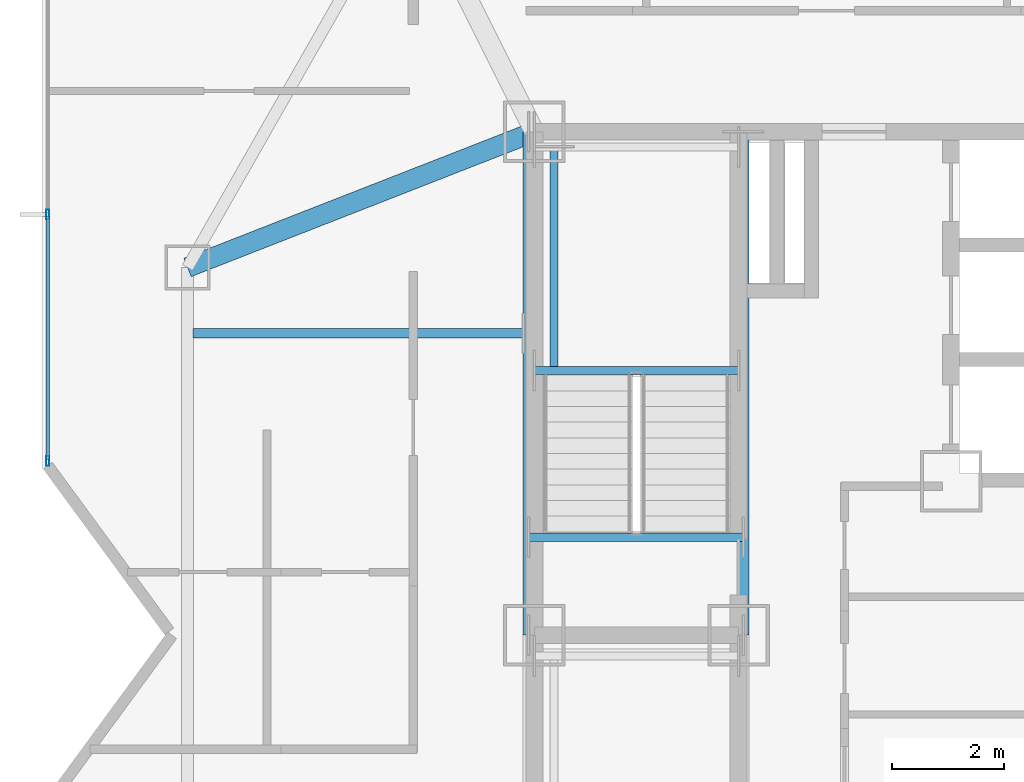
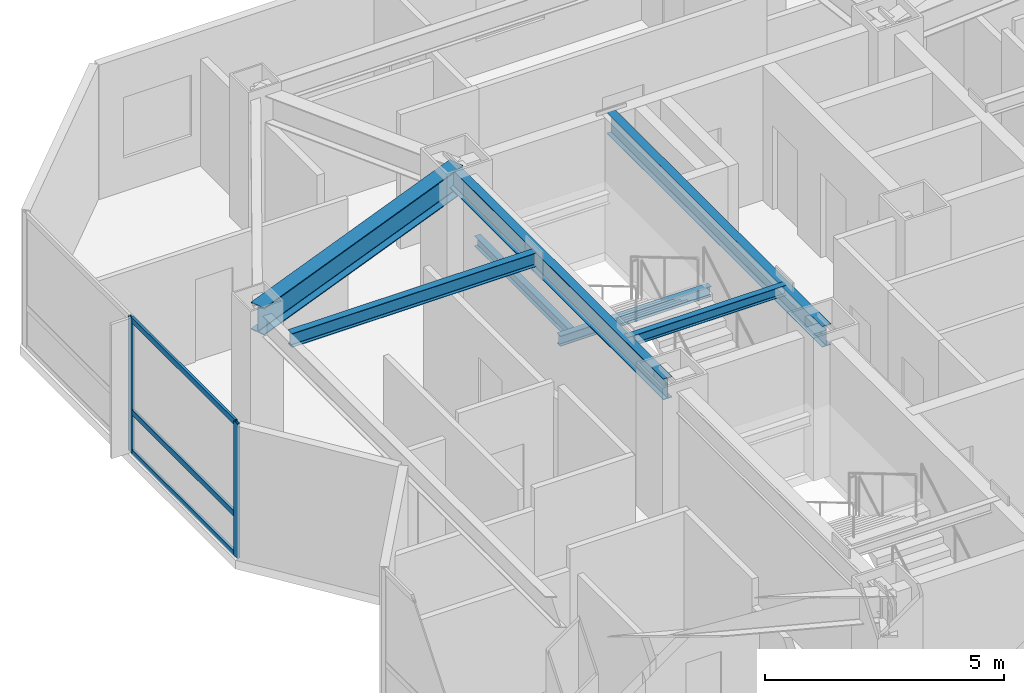
# One storey, part 6 of 15: 7 beams, 5 members, 1 element without a shape of its own.
"""IFC4 building model written with IfcOpenShell, lengths in metres."""

import ifcopenshell
import ifcopenshell.guid

model = None  # the IFC model being written
_history = None  # IfcOwnerHistory: only IFC2X3 demands one
_inside = {}  # id of a spatial element -> (the spatial element, [elements in it])
_under = {}  # id of a project, library or spatial element -> (it, [spatial elements below it])
_declared = {}  # id of a project -> (the project, [libraries it declares])
_typed = {}  # id of a type object -> (the type object, [elements of that type])
_made_of = {}  # id of a material, layer set ... -> (it, [elements and type objects made of it])


def new_model(schema):
    """Start an empty IFC model of exactly this schema.

    Asked for "IFC4X3", IfcOpenShell would pick the latest addendum, in which some entities
    have other attributes; the version numbers below select the first issue.
    IFC2X3 requires an IfcOwnerHistory on every rooted entity: one is made here for all.
    """
    global model, _history
    if schema == "IFC4X3":
        model = ifcopenshell.file(schema_version=(4, 3, 0, 0))
    else:
        model = ifcopenshell.file(schema=schema)
    _inside.clear()
    _under.clear()
    _declared.clear()
    _typed.clear()
    _made_of.clear()
    _history = None
    if model.schema == "IFC2X3":
        org = make("IfcOrganization", Name="unknown")
        user = make(
            "IfcPersonAndOrganization",
            ThePerson=make("IfcPerson", FamilyName="unknown"),
            TheOrganization=org,
        )
        app = make(
            "IfcApplication",
            ApplicationDeveloper=org,
            Version="unknown",
            ApplicationFullName="unknown",
            ApplicationIdentifier="unknown",
        )
        _history = make(
            "IfcOwnerHistory",
            OwningUser=user,
            OwningApplication=app,
            ChangeAction="ADDED",
            CreationDate=0,
        )
    return model


def make(cls, **values):
    """One entity of the class cls with the attributes given. An attribute that is None is left unset."""
    return model.create_entity(
        cls, **{name: value for name, value in values.items() if value is not None}
    )


def rooted(cls, **values):
    """An entity with a GlobalId (a new one), such as an element, a storey or a relation."""
    return make(cls, GlobalId=ifcopenshell.guid.new(), OwnerHistory=_history, **values)


def si_unit(unit_type, name, prefix=None):
    """IfcSIUnit, for example si_unit("LENGTHUNIT", "METRE", prefix="MILLI")."""
    return make("IfcSIUnit", UnitType=unit_type, Prefix=prefix, Name=name)


def assignment(units):
    """IfcUnitAssignment: the units of a project."""
    return None if units is None else make("IfcUnitAssignment", Units=units)


def point(xyz):
    """IfcCartesianPoint."""
    return None if xyz is None else make("IfcCartesianPoint", Coordinates=xyz)


def direction(xyz):
    """IfcDirection."""
    return None if xyz is None else make("IfcDirection", DirectionRatios=xyz)


def frame(location, z_axis=None, x_axis=None):
    """IfcAxis2Placement3D, a coordinate frame: its origin and axes. An axis left out is left unset."""
    return make(
        "IfcAxis2Placement3D",
        Location=point(location),
        Axis=direction(z_axis),
        RefDirection=direction(x_axis),
    )


def frame_2d(location, x_axis=None):
    """IfcAxis2Placement2D, a coordinate frame in the plane: its origin and x axis."""
    return make(
        "IfcAxis2Placement2D", Location=point(location), RefDirection=direction(x_axis)
    )


def origin():
    """The frame at (0, 0, 0) with its axes left unset."""
    return frame((0.0, 0.0, 0.0))


def origin_2d():
    """The frame at (0, 0) in the plane with its x axis left unset."""
    return frame_2d((0.0, 0.0))


def place(relative_to, where):
    """IfcLocalPlacement: puts the frame where relative to a parent placement (None: the world)."""
    return make(
        "IfcLocalPlacement", PlacementRelTo=relative_to, RelativePlacement=where
    )


def context(
    kind, dimensions, precision=None, world=None, true_north=None, identifier=None
):
    """IfcGeometricRepresentationContext, for example the 3D "Model" context."""
    return make(
        "IfcGeometricRepresentationContext",
        ContextIdentifier=identifier,
        ContextType=kind,
        CoordinateSpaceDimension=dimensions,
        Precision=precision,
        WorldCoordinateSystem=world,
        TrueNorth=true_north,
    )


def subcontext(parent, identifier, kind, view, scale=None):
    """IfcGeometricRepresentationSubContext, for example "Body" below "Model"."""
    return make(
        "IfcGeometricRepresentationSubContext",
        ContextIdentifier=identifier,
        ContextType=kind,
        ParentContext=parent,
        TargetScale=scale,
        TargetView=view,
    )


def project(units=None, contexts=None):
    """IfcProject with its units and contexts."""
    return rooted(
        "IfcProject",
        Name="project",
        RepresentationContexts=contexts,
        UnitsInContext=assignment(units),
    )


def spatial(cls, under=None, at=None, **own):
    """A site, building, storey or space (cls), placed at a placement, below another one or the project."""
    s = rooted(cls, ObjectPlacement=at, **own)
    if under is not None:
        _under.setdefault(under.id(), (under, []))[1].append(s)
    return s


def profile(cls, at=None, kind="AREA", **sizes):
    """A parametric profile (cls). Its sizes go by their IFC names, for example OverallWidth=200.0."""
    return make(cls, ProfileType=kind, Position=at, **sizes)


def hollow_rectangle(**sizes):
    """IfcRectangleHollowProfileDef."""
    return profile("IfcRectangleHollowProfileDef", **sizes)


def i_section(**sizes):
    """IfcIShapeProfileDef."""
    return profile("IfcIShapeProfileDef", **sizes)


def extrude(swept, where, along, depth):
    """IfcExtrudedAreaSolid: the profile swept, set in the frame where, extruded along a direction by depth."""
    return make(
        "IfcExtrudedAreaSolid",
        SweptArea=swept,
        Position=where,
        ExtrudedDirection=direction(along),
        Depth=depth,
    )


def shape(context_of_items, identifier, shape_type, items):
    """IfcShapeRepresentation: the items that make up one representation, for example the "Body"."""
    return make(
        "IfcShapeRepresentation",
        ContextOfItems=context_of_items,
        RepresentationIdentifier=identifier,
        RepresentationType=shape_type,
        Items=items,
    )


def material(Name=None, Category=None):
    """IfcMaterial."""
    return make("IfcMaterial", Name=Name, Category=Category)


def material_profile(
    of_material, cross_section, Name=None, Category=None, Priority=None
):
    """IfcMaterialProfile: a cross section and its material."""
    return make(
        "IfcMaterialProfile",
        Name=Name,
        Material=of_material,
        Profile=cross_section,
        Priority=Priority,
        Category=Category,
    )


def profile_set(profiles, Name=None, composite=None):
    """IfcMaterialProfileSet."""
    return make(
        "IfcMaterialProfileSet",
        Name=Name,
        MaterialProfiles=profiles,
        CompositeProfile=composite,
    )


def made_of(thing, what):
    """Note that an element or type object is made of a material, layer set ...; save() writes the relation."""
    if what is not None:
        _made_of.setdefault(what.id(), (what, []))[1].append(thing)
    return thing


def type_object(cls, material=None, **own):
    """A type object (cls), such as IfcWallType, which elements share."""
    return made_of(rooted(cls, **own), material)


def element(
    cls,
    number,
    at=None,
    inside=None,
    cuts=None,
    type_object=None,
    material=None,
    context=None,
    identifier="Body",
    shape_type=None,
    held_by="IfcProductDefinitionShape",
    body=None,
    shapes=None,
    **own,
):
    """One element of the class cls, such as IfcWall. Its Tag is "e" and its number.

    at: its placement. inside: the storey or other place that contains it. cuts: it is an
    opening in that element (IfcRelVoidsElement). A single representation is given by context,
    identifier, shape_type and body (its items); several are given by shapes. held_by: the class
    of the entity that holds the representations. save() writes the other relations.
    """
    e = rooted(cls, Tag="e%d" % number, ObjectPlacement=at, **own)
    if body is not None:
        shapes = [shape(context, identifier, shape_type, body)]
    if shapes is not None:
        e.Representation = make(held_by, Representations=shapes)
    if inside is not None:
        _inside.setdefault(inside.id(), (inside, []))[1].append(e)
    if cuts is not None:
        rooted(
            "IfcRelVoidsElement", RelatingBuildingElement=cuts, RelatedOpeningElement=e
        )
    if type_object is not None:
        _typed.setdefault(type_object.id(), (type_object, []))[1].append(e)
    return made_of(e, material)


def aggregate(whole, parts):
    """IfcRelAggregates: a whole, such as a stair, and the parts it consists of."""
    return rooted("IfcRelAggregates", RelatingObject=whole, RelatedObjects=parts)


def save(model, path):
    """Write the relations noted so far, then the file.

    IfcRelAggregates (storeys below a building ...), IfcRelContainedInSpatialStructure (elements
    in a storey), IfcRelDefinesByType, IfcRelAssociatesMaterial and IfcRelDeclares: one each for
    every whole, place, type object, material and project.
    """
    for whole, parts in _under.values():
        aggregate(whole, parts)
    for where, things in _inside.values():
        rooted(
            "IfcRelContainedInSpatialStructure",
            RelatedElements=things,
            RelatingStructure=where,
        )
    for kind, things in _typed.values():
        rooted("IfcRelDefinesByType", RelatedObjects=things, RelatingType=kind)
    for what, things in _made_of.values():
        rooted("IfcRelAssociatesMaterial", RelatedObjects=things, RelatingMaterial=what)
    for by, libraries in _declared.values():
        rooted("IfcRelDeclares", RelatingContext=by, RelatedDefinitions=libraries)
    model.write(path)


model = new_model("IFC4")

# Units and contexts
model_context = context("Model", 3, precision=1e-05, world=origin(), true_north=direction((0.0, 1.0)))
body_context = subcontext(model_context, "Body", "Model", "MODEL_VIEW")
ifc_project = project(units=[si_unit("LENGTHUNIT", "METRE"), si_unit("AREAUNIT", "SQUARE_METRE"), si_unit("VOLUMEUNIT", "CUBIC_METRE"), si_unit("PLANEANGLEUNIT", "RADIAN"), si_unit("MASSUNIT", "GRAM", prefix="KILO")], contexts=[model_context])

# Site, building, storey
site_placement = place(None, origin())
site = spatial("IfcSite", under=ifc_project, at=site_placement, CompositionType="ELEMENT")
building_placement = place(site_placement, origin())
building = spatial("IfcBuilding", under=site, at=building_placement, Name="Khamvora Tower", CompositionType="ELEMENT")
storey_placement = place(building_placement, frame((0.0, 0.0, 220.85009765625)))
storey = spatial("IfcBuildingStorey", under=building, at=storey_placement, Name="L56", CompositionType="ELEMENT", Elevation=220.85009765625)

# Beams
ifc_material_1 = material(Name="Steel S355", Category="steel")
ifc_material_profile_1 = material_profile(ifc_material_1, i_section(OverallWidth=0.1708984375, OverallDepth=0.35498046875, WebThickness=0.007080078125, FlangeThickness=0.011962890625, FilletRadius=0.010009765625, at=origin_2d()), Name="W360x51")
ifc_profile_set_1 = profile_set([ifc_material_profile_1], Name="Steel S355")
beam_type_1 = type_object("IfcBeamType", Name="BM-JS-W360x51", PredefinedType="JOIST", material=ifc_profile_set_1)
beam_1_placement = place(storey_placement, frame((22.89892578125, 33.39990234375, 3.251953125), z_axis=(1.0, 0.0, 0.0), x_axis=(0.0, 1.0, 0.0)))
element("IfcBeam", 1, at=beam_1_placement, inside=storey, type_object=beam_type_1, Name="L56 secondary floor joist 05", PredefinedType="JOIST", context=body_context, shape_type="SweptSolid", body=[
    extrude(i_section(OverallWidth=0.1708984375, OverallDepth=0.35498046875, WebThickness=0.007080078125, FlangeThickness=0.011962890625, FilletRadius=0.010009765625, at=origin_2d()), origin(), (0.0, 0.0, 1.0), 5.901123046875),
])
ifc_material_profile_2 = material_profile(ifc_material_1, i_section(OverallWidth=0.14697265625, OverallDepth=0.261962890625, WebThickness=0.007080078125, FlangeThickness=0.010986328125, FilletRadius=0.008056640625, at=origin_2d()), Name="W250x39")
ifc_profile_set_2 = profile_set([ifc_material_profile_2], Name="Steel S355")
beam_type_2 = type_object("IfcBeamType", Name="BM-LN-W250x39", PredefinedType="LINTEL", material=ifc_profile_set_2)
beam_2_placement = place(storey_placement, frame((29.0, 32.735107421875, 1.493896484375), z_axis=(1.0, 0.0, 0.0), x_axis=(0.0, 1.0, 0.0)))
element("IfcBeam", 2, at=beam_2_placement, inside=storey, type_object=beam_type_2, Name="L56 ST-02 half-landing support beam 1.1", PredefinedType="LINTEL", context=body_context, shape_type="SweptSolid", body=[
    extrude(i_section(OverallWidth=0.14697265625, OverallDepth=0.261962890625, WebThickness=0.007080078125, FlangeThickness=0.010986328125, FilletRadius=0.008056640625, at=origin_2d()), origin(), (0.0, 0.0, 1.0), 3.64990234375),
])
beam_3_placement = place(storey_placement, frame((29.35009765625, 32.735107421875, 1.493896484375), z_axis=(0.0, 1.0, 0.0), x_axis=(-1.0, 0.0, 0.0)))
element("IfcBeam", 3, at=beam_3_placement, inside=storey, type_object=beam_type_2, Name="L56 ST-02 half-landing edge stringer 1", PredefinedType="LINTEL", context=body_context, shape_type="SweptSolid", body=[
    extrude(i_section(OverallWidth=0.14697265625, OverallDepth=0.261962890625, WebThickness=0.007080078125, FlangeThickness=0.010986328125, FilletRadius=0.008056640625, at=origin_2d()), origin(), (0.0, 0.0, 1.0), 3.994873046875),
])
beam_4_placement = place(storey_placement, frame((28.89990234375, 29.75, 3.303955078125), z_axis=(1.0, 0.0, 0.0), x_axis=(0.0, 1.0, 0.0)))
element("IfcBeam", 4, at=beam_4_placement, inside=storey, type_object=beam_type_2, Name="L56 exit stair ST-02 landing trimmer beam", PredefinedType="LINTEL", context=body_context, shape_type="SweptSolid", body=[
    extrude(i_section(OverallWidth=0.14697265625, OverallDepth=0.261962890625, WebThickness=0.007080078125, FlangeThickness=0.010986328125, FilletRadius=0.008056640625, at=origin_2d()), origin(), (0.0, 0.0, 1.0), 3.830078125),
])
ifc_material_profile_3 = material_profile(ifc_material_1, i_section(OverallWidth=0.35498046875, OverallDepth=0.695068359375, WebThickness=0.014892578125, FlangeThickness=0.02490234375, FilletRadius=0.01611328125, at=origin_2d()), Name="W690x217")
ifc_profile_set_3 = profile_set([ifc_material_profile_3], Name="Steel S355")
beam_type_3 = type_object("IfcBeamType", Name="BM-PG-W690x217", PredefinedType="BEAM", material=ifc_profile_set_3)
beam_5_placement = place(storey_placement, frame((29.0, 37.0, 3.0830078125), z_axis=(-0.931294712743, -0.36426660294, 0.0), x_axis=(0.36426660294, -0.931294712743, 0.0)))
element("IfcBeam", 5, at=beam_5_placement, inside=storey, type_object=beam_type_3, Name="L56 primary floor girder W2", PredefinedType="BEAM", context=body_context, shape_type="SweptSolid", body=[
    extrude(i_section(OverallWidth=0.35498046875, OverallDepth=0.695068359375, WebThickness=0.014892578125, FlangeThickness=0.02490234375, FilletRadius=0.01611328125, at=origin_2d()), origin(), (0.0, 0.0, 1.0), 6.6572265625),
])
ifc_material_profile_4 = material_profile(ifc_material_1, i_section(OverallWidth=0.208984375, OverallDepth=0.532958984375, WebThickness=0.010009765625, FlangeThickness=0.01611328125, FilletRadius=0.013916015625, at=origin_2d()), Name="W530x92")
ifc_profile_set_4 = profile_set([ifc_material_profile_4], Name="Steel S355")
beam_type_4 = type_object("IfcBeamType", Name="BM-SP-W530x92", PredefinedType="SPANDREL", material=ifc_profile_set_4)
for number, where, z_axis, x_axis, name in (
    (6, (28.89990234375, 28.0, 3.162841796875), (0.0, 1.0, 0.0), (-1.0, 0.0, 0.0), "L56 core spine girder WN"),
    (7, (32.72998046875, 28.0, 3.162841796875), (0.0, 1.0, 0.0), (-1.0, 0.0, 0.0), "L56 core spine girder M1N"),
):
    element("IfcBeam", number, at=place(storey_placement, frame(where, z_axis=z_axis, x_axis=x_axis)), inside=storey, type_object=beam_type_4, Name=name, PredefinedType="SPANDREL", context=body_context, shape_type="SweptSolid", body=[
        extrude(i_section(OverallWidth=0.208984375, OverallDepth=0.532958984375, WebThickness=0.010009765625, FlangeThickness=0.01611328125, FilletRadius=0.013916015625, at=origin_2d()), origin(), (0.0, 0.0, 1.0), 9.0),
    ])

# Curtain wall, members
ifc_material_2 = material(Name="Anodised Aluminium 6063-T6", Category="aluminium")
curtain_wall_type = type_object("IfcCurtainWallType", Name="CW-SYS-05", PredefinedType="NOTDEFINED", material=ifc_material_2)
curtain_wall_placement = place(storey_placement, origin())
curtain_wall = element("IfcCurtainWall", 8, at=curtain_wall_placement, inside=storey, type_object=curtain_wall_type, Name="L56 stick curtain wall 05.1", PredefinedType="NOTDEFINED")
ifc_material_profile_5 = material_profile(ifc_material_2, hollow_rectangle(XDim=0.06005859375, YDim=0.175048828125, WallThickness=0.0048828125, at=origin_2d()), Name="MUL60x175x5")
ifc_profile_set_5 = profile_set([ifc_material_profile_5], Name="Anodised Aluminium 6063-T6")
member_type_1 = type_object("IfcMemberType", Name="CW-SYS-05-MUL", PredefinedType="MULLION", material=ifc_profile_set_5)
member_1_placement = place(storey_placement, frame((20.300048828125, 31.114013671875, 0.0), z_axis=(0.0, 0.0, 1.0), x_axis=(-1.0, 0.0, 0.0)))
member_1 = element("IfcMember", 9, at=member_1_placement, type_object=member_type_1, Name="CW-05 mullion 1", PredefinedType="MULLION", context=body_context, shape_type="SweptSolid", body=[
    extrude(hollow_rectangle(XDim=0.06005859375, YDim=0.175048828125, WallThickness=0.0048828125, at=origin_2d()), origin(), (0.0, 0.0, 1.0), 3.429931640625),
])
member_2_placement = place(storey_placement, frame((20.300048828125, 35.521484375, 0.0), z_axis=(0.0, 0.0, 1.0), x_axis=(-1.0, 0.0, 0.0)))
member_2 = element("IfcMember", 10, at=member_2_placement, type_object=member_type_1, Name="CW-05 mullion 2", PredefinedType="MULLION", context=body_context, shape_type="SweptSolid", body=[
    extrude(hollow_rectangle(XDim=0.06005859375, YDim=0.175048828125, WallThickness=0.0048828125, at=origin_2d()), origin(), (0.0, 0.0, 1.0), 3.429931640625),
])
ifc_material_profile_6 = material_profile(ifc_material_2, hollow_rectangle(XDim=0.06005859375, YDim=0.14501953125, WallThickness=0.0048828125, at=origin_2d()), Name="TRN60x145x5")
ifc_profile_set_6 = profile_set([ifc_material_profile_6], Name="Anodised Aluminium 6063-T6")
member_type_2 = type_object("IfcMemberType", Name="CW-SYS-05-TRN", PredefinedType="USERDEFINED", material=ifc_profile_set_6)
member_3_placement = place(storey_placement, frame((20.300048828125, 31.14404296875, 0.02978515625), z_axis=(0.0, 1.0, 0.0), x_axis=(-1.0, 0.0, 0.0)))
member_3 = element("IfcMember", 11, at=member_3_placement, type_object=member_type_2, Name="CW-05 transom 1.1", ObjectType="TRANSOM", PredefinedType="USERDEFINED", context=body_context, shape_type="SweptSolid", body=[
    extrude(hollow_rectangle(XDim=0.06005859375, YDim=0.14501953125, WallThickness=0.0048828125, at=origin_2d()), origin(), (0.0, 0.0, 1.0), 4.347412109375),
])
member_4_placement = place(storey_placement, frame((20.300048828125, 31.14404296875, 1.0498046875), z_axis=(0.0, 1.0, 0.0), x_axis=(-1.0, 0.0, 0.0)))
member_4 = element("IfcMember", 12, at=member_4_placement, type_object=member_type_2, Name="CW-05 transom 1.2", ObjectType="TRANSOM", PredefinedType="USERDEFINED", context=body_context, shape_type="SweptSolid", body=[
    extrude(hollow_rectangle(XDim=0.06005859375, YDim=0.14501953125, WallThickness=0.0048828125, at=origin_2d()), origin(), (0.0, 0.0, 1.0), 4.347412109375),
])
member_5_placement = place(storey_placement, frame((20.300048828125, 31.14404296875, 3.39990234375), z_axis=(0.0, 1.0, 0.0), x_axis=(-1.0, 0.0, 0.0)))
member_5 = element("IfcMember", 13, at=member_5_placement, type_object=member_type_2, Name="CW-05 transom 1.3", ObjectType="TRANSOM", PredefinedType="USERDEFINED", context=body_context, shape_type="SweptSolid", body=[
    extrude(hollow_rectangle(XDim=0.06005859375, YDim=0.14501953125, WallThickness=0.0048828125, at=origin_2d()), origin(), (0.0, 0.0, 1.0), 4.347412109375),
])
aggregate(curtain_wall, [member_1, member_2, member_3, member_4, member_5])

save(model, "model.ifc")
